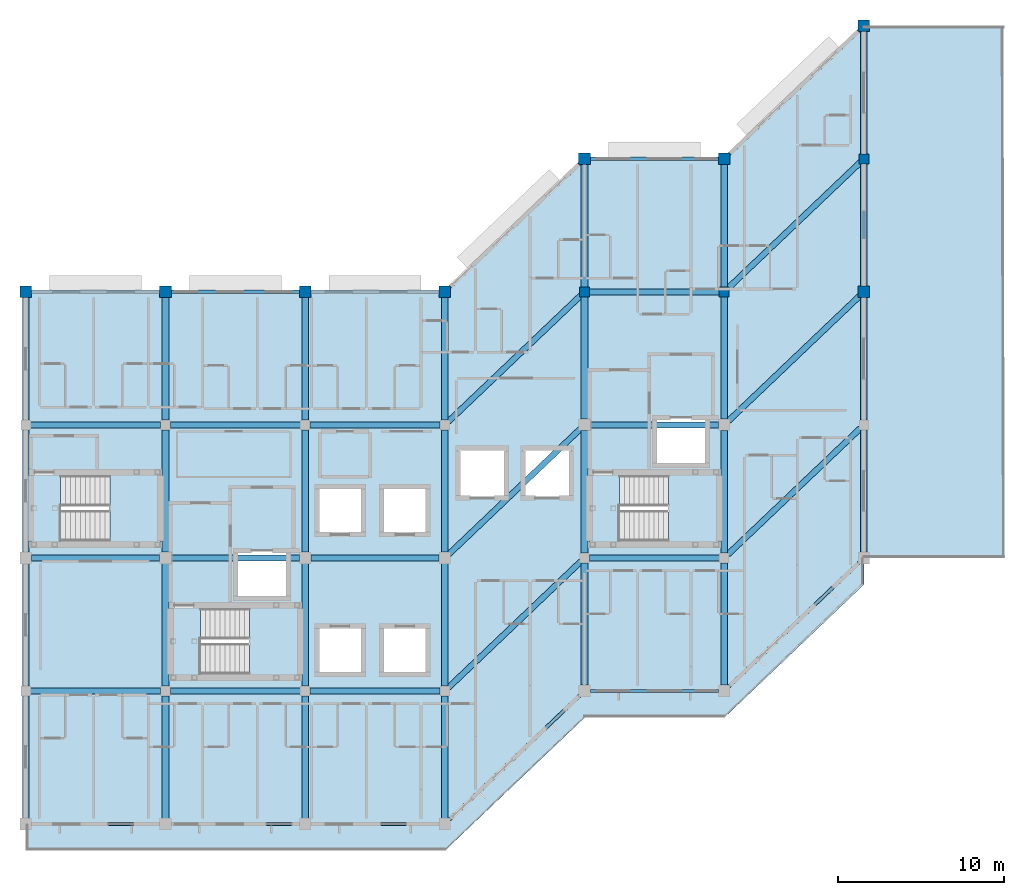
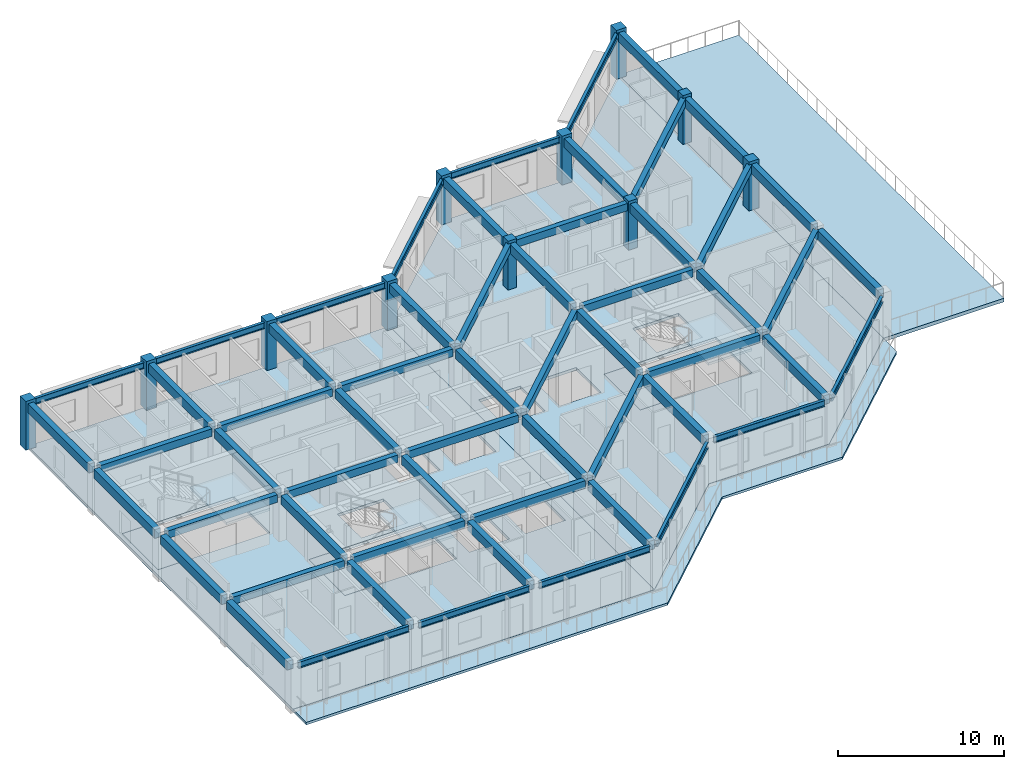
# One storey, part 3 of 15: 58 beams, 11 columns, 10 slabs, 3 elements without a shape of their own.
"""IFC4 building model written with IfcOpenShell, lengths in metres."""

from ifc_helpers import new_model, si_unit, direction, frame, origin, origin_2d, place, context, subcontext, project, spatial, polyline, rectangle, i_section, outline, extrude, material, layer, layer_set, material_profile, profile_set, type_object, element, aggregate, save


model = new_model("IFC4")

# Units and contexts
model_context = context("Model", 3, precision=1e-05, world=origin(), true_north=direction((0.0, 1.0)))
body_context = subcontext(model_context, "Body", "Model", "MODEL_VIEW")
ifc_project = project(units=[si_unit("LENGTHUNIT", "METRE"), si_unit("AREAUNIT", "SQUARE_METRE"), si_unit("VOLUMEUNIT", "CUBIC_METRE"), si_unit("PLANEANGLEUNIT", "RADIAN"), si_unit("MASSUNIT", "GRAM", prefix="KILO")], contexts=[model_context])

# Site, building, storey
site_placement = place(None, origin())
site = spatial("IfcSite", under=ifc_project, at=site_placement, CompositionType="ELEMENT")
building_placement = place(site_placement, origin())
building = spatial("IfcBuilding", under=site, at=building_placement, Name="Naruveol Harbour Congress Hotel", CompositionType="ELEMENT")
storey_placement = place(building_placement, frame((0.0, 0.0, 36.0)))
storey = spatial("IfcBuildingStorey", under=building, at=storey_placement, Name="L08", CompositionType="ELEMENT", Elevation=36.0)

# Columns
ifc_material_1 = material(Name="Concrete C40/50", Category="concrete")
ifc_material_profile_1 = material_profile(ifc_material_1, rectangle(XDim=0.699951171875, YDim=0.699951171875, at=origin_2d()), Name="RC-700x700")
ifc_profile_set_1 = profile_set([ifc_material_profile_1], Name="Concrete C40/50")
column_type_1 = type_object("IfcColumnType", Name="RC HOTEL COLUMN 700X700", PredefinedType="COLUMN", material=ifc_profile_set_1)
for number, where, z_axis, x_axis, name in (
    (1, (117.60009765625, 32.0, 0.0), (0.0, 0.0, 1.0), (1.0, 0.0, 0.0), "Column C-700 L08 (117.6,32.0)"),
    (2, (126.0, 32.0, 0.0), (0.0, 0.0, 1.0), (1.0, 0.0, 0.0), "Column C-700 L08 (126.0,32.0)"),
    (3, (134.39990234375, 32.0, 0.0), (0.0, 0.0, 1.0), (1.0, 0.0, 0.0), "Column C-700 L08 (134.4,32.0)"),
    (4, (142.800048828125, 32.0, 0.0), (0.0, 0.0, 1.0), (1.0, 0.0, 0.0), "Column C-700 L08 (142.8,32.0)"),
    (5, (151.199951171875, 40.0, 0.0), (0.0, 0.0, 1.0), (1.0, 0.0, 0.0), "Column C-700 L08 (151.2,40.0)"),
    (6, (159.60009765625, 40.0, 0.0), (0.0, 0.0, 1.0), (1.0, 0.0, 0.0), "Column C-700 L08 (159.6,40.0)"),
    (7, (168.0, 32.0, 0.0), (0.0, 0.0, 1.0), (1.0, 0.0, 0.0), "Column C-700 L08 (168.0,32.0)"),
    (8, (168.0, 48.0, 0.0), (0.0, 0.0, 1.0), (1.0, 0.0, 0.0), "Column C-700 L08 (168.0,48.0)"),
):
    element("IfcColumn", number, at=place(storey_placement, frame(where, z_axis=z_axis, x_axis=x_axis)), inside=storey, type_object=column_type_1, Name=name, PredefinedType="COLUMN", context=body_context, shape_type="SweptSolid", body=[
        extrude(rectangle(XDim=0.699951171875, YDim=0.699951171875, at=origin_2d()), origin(), (0.0, 0.0, 1.0), 3.60009765625),
    ])
ifc_material_2 = material(Name="Concrete C40/50", Category="concrete")
ifc_material_profile_2 = material_profile(ifc_material_2, rectangle(XDim=0.60009765625, YDim=0.60009765625, at=origin_2d()), Name="RC-600x600")
ifc_profile_set_2 = profile_set([ifc_material_profile_2], Name="Concrete C40/50")
column_type_2 = type_object("IfcColumnType", Name="RC UPPER COLUMN 600X600", PredefinedType="COLUMN", material=ifc_profile_set_2)
for number, where, z_axis, x_axis, name in (
    (9, (151.199951171875, 32.0, 0.0), (0.0, 0.0, 1.0), (1.0, 0.0, 0.0), "Planted hotel column C-600 L08 S4/J3"),
    (10, (159.60009765625, 32.0, 0.0), (0.0, 0.0, 1.0), (1.0, 0.0, 0.0), "Planted hotel column C-600 L08 S5/J3"),
    (11, (168.0, 40.0, 0.0), (0.0, 0.0, 1.0), (1.0, 0.0, 0.0), "Planted hotel column C-600 L08 S6/J3"),
):
    element("IfcColumn", number, at=place(storey_placement, frame(where, z_axis=z_axis, x_axis=x_axis)), inside=storey, type_object=column_type_2, Name=name, PredefinedType="COLUMN", context=body_context, shape_type="SweptSolid", body=[
        extrude(rectangle(XDim=0.60009765625, YDim=0.60009765625, at=origin_2d()), origin(), (0.0, 0.0, 1.0), 3.60009765625),
    ])

# Beams
ifc_material_3 = material(Name="Concrete C40/50", Category="concrete")
ifc_material_profile_3 = material_profile(ifc_material_3, rectangle(XDim=0.39990234375, YDim=0.64990234375, at=origin_2d()), Name="RCB-400x650")
ifc_profile_set_3 = profile_set([ifc_material_profile_3], Name="Concrete C40/50")
beam_type_1 = type_object("IfcBeamType", Name="RC HOTEL BEAM 400X650", PredefinedType="BEAM", material=ifc_profile_set_3)
for number, where, z_axis, x_axis, name in (
    (12, (117.60009765625, 0.345947265625, 3.06494140625), (0.0, 1.0, 0.0), (-1.0, 0.0, 0.0), "Hotel transverse beam L09 CB4"),
    (13, (117.60009765625, 8.2958984375, 3.06494140625), (0.0, 1.0, 0.0), (-1.0, 0.0, 0.0), "Hotel transverse beam L09 CB4"),
    (14, (117.60009765625, 16.345947265625, 3.06494140625), (0.0, 1.0, 0.0), (-1.0, 0.0, 0.0), "Hotel transverse beam L09 CB4"),
    (15, (117.60009765625, 24.2958984375, 3.06494140625), (0.0, 1.0, 0.0), (-1.0, 0.0, 0.0), "Hotel transverse beam L09 CB4"),
    (16, (126.0, 0.345947265625, 3.06494140625), (0.0, 1.0, 0.0), (-1.0, 0.0, 0.0), "Hotel transverse beam L09 CB4"),
    (17, (126.0, 8.2958984375, 3.06494140625), (0.0, 1.0, 0.0), (-1.0, 0.0, 0.0), "Hotel transverse beam L09 CB4"),
    (18, (126.0, 16.345947265625, 3.06494140625), (0.0, 1.0, 0.0), (-1.0, 0.0, 0.0), "Hotel transverse beam L09 CB4"),
    (19, (126.0, 24.2958984375, 3.06494140625), (0.0, 1.0, 0.0), (-1.0, 0.0, 0.0), "Hotel transverse beam L09 CB4"),
    (20, (134.39990234375, 0.345947265625, 3.06494140625), (0.0, 1.0, 0.0), (-1.0, 0.0, 0.0), "Hotel transverse beam L09 CB4"),
    (21, (134.39990234375, 8.2958984375, 3.06494140625), (0.0, 1.0, 0.0), (-1.0, 0.0, 0.0), "Hotel transverse beam L09 CB4"),
    (22, (134.39990234375, 16.345947265625, 3.06494140625), (0.0, 1.0, 0.0), (-1.0, 0.0, 0.0), "Hotel transverse beam L09 CB4"),
    (23, (134.39990234375, 24.2958984375, 3.06494140625), (0.0, 1.0, 0.0), (-1.0, 0.0, 0.0), "Hotel transverse beam L09 CB4"),
    (24, (142.800048828125, 0.345947265625, 3.06494140625), (0.0, 1.0, 0.0), (-1.0, 0.0, 0.0), "Hotel transverse beam L09 CB4"),
    (25, (142.800048828125, 8.2958984375, 3.06494140625), (0.0, 1.0, 0.0), (-1.0, 0.0, 0.0), "Hotel transverse beam L09 CB4"),
    (26, (142.800048828125, 16.345947265625, 3.06494140625), (0.0, 1.0, 0.0), (-1.0, 0.0, 0.0), "Hotel transverse beam L09 CB4"),
    (27, (142.800048828125, 24.2958984375, 3.06494140625), (0.0, 1.0, 0.0), (-1.0, 0.0, 0.0), "Hotel transverse beam L09 CB4"),
    (28, (151.199951171875, 8.345947265625, 3.06494140625), (0.0, 1.0, 0.0), (-1.0, 0.0, 0.0), "Hotel transverse beam L09 CB4"),
    (29, (151.199951171875, 16.2958984375, 3.06494140625), (0.0, 1.0, 0.0), (-1.0, 0.0, 0.0), "Hotel transverse beam L09 CB4"),
    (30, (151.199951171875, 24.345947265625, 3.06494140625), (0.0, 1.0, 0.0), (-1.0, 0.0, 0.0), "Hotel transverse beam L09 CB4"),
    (31, (151.199951171875, 32.2958984375, 3.06494140625), (0.0, 1.0, 0.0), (-1.0, 0.0, 0.0), "Hotel transverse beam L09 CB4"),
    (32, (159.60009765625, 8.345947265625, 3.06494140625), (0.0, 1.0, 0.0), (-1.0, 0.0, 0.0), "Hotel transverse beam L09 CB4"),
    (33, (159.60009765625, 16.2958984375, 3.06494140625), (0.0, 1.0, 0.0), (-1.0, 0.0, 0.0), "Hotel transverse beam L09 CB4"),
    (34, (159.60009765625, 24.345947265625, 3.06494140625), (0.0, 1.0, 0.0), (-1.0, 0.0, 0.0), "Hotel transverse beam L09 CB4"),
    (35, (159.60009765625, 32.2958984375, 3.06494140625), (0.0, 1.0, 0.0), (-1.0, 0.0, 0.0), "Hotel transverse beam L09 CB4"),
    (36, (168.0, 16.345947265625, 3.06494140625), (0.0, 1.0, 0.0), (-1.0, 0.0, 0.0), "Hotel transverse beam L09 CB4"),
    (37, (168.0, 24.2958984375, 3.06494140625), (0.0, 1.0, 0.0), (-1.0, 0.0, 0.0), "Hotel transverse beam L09 CB4"),
    (38, (168.0, 32.345947265625, 3.06494140625), (0.0, 1.0, 0.0), (-1.0, 0.0, 0.0), "Hotel transverse beam L09 CB4"),
    (39, (168.0, 40.2958984375, 3.06494140625), (0.0, 1.0, 0.0), (-1.0, 0.0, 0.0), "Hotel transverse beam L09 CB4"),
):
    element("IfcBeam", number, at=place(storey_placement, frame(where, z_axis=z_axis, x_axis=x_axis)), inside=storey, type_object=beam_type_1, Name=name, PredefinedType="BEAM", context=body_context, shape_type="SweptSolid", body=[
        extrude(rectangle(XDim=0.39990234375, YDim=0.64990234375, at=origin_2d()), origin(), (0.0, 0.0, 1.0), 7.358154296875),
    ])
ifc_material_4 = material(Name="Concrete C40/50", Category="concrete")
ifc_material_profile_4 = material_profile(ifc_material_4, rectangle(XDim=0.35009765625, YDim=0.550048828125, at=origin_2d()), Name="RCB-350x550")
ifc_profile_set_4 = profile_set([ifc_material_profile_4], Name="Concrete C40/50")
beam_type_2 = type_object("IfcBeamType", Name="RC SECONDARY BEAM 350X550", PredefinedType="JOIST", material=ifc_profile_set_4)
beam_1_placement = place(storey_placement, frame((117.89599609375, 8.0, 3.114990234375), z_axis=(1.0, 0.0, 0.0), x_axis=(0.0, 1.0, 0.0)))
element("IfcBeam", 40, at=beam_1_placement, inside=storey, type_object=beam_type_2, Name="Hotel chord beam L09 CJ1", PredefinedType="JOIST", context=body_context, shape_type="SweptSolid", body=[
    extrude(rectangle(XDim=0.35009765625, YDim=0.550048828125, at=origin_2d()), origin(), (0.0, 0.0, 1.0), 7.80810546875),
])
beam_2_placement = place(storey_placement, frame((117.946044921875, 16.0, 3.114990234375), z_axis=(1.0, 0.0, 0.0), x_axis=(0.0, 1.0, 0.0)))
element("IfcBeam", 41, at=beam_2_placement, inside=storey, type_object=beam_type_2, Name="Hotel chord beam L09 CJ1", PredefinedType="JOIST", context=body_context, shape_type="SweptSolid", body=[
    extrude(rectangle(XDim=0.35009765625, YDim=0.550048828125, at=origin_2d()), origin(), (0.0, 0.0, 1.0), 7.7080078125),
])
for number, where, z_axis, x_axis, name in (
    (42, (117.89599609375, 24.0, 3.114990234375), (1.0, 0.0, 0.0), (0.0, 1.0, 0.0), "Hotel chord beam L09 CJ1"),
    (43, (126.2958984375, 8.0, 3.114990234375), (1.0, 0.0, 0.0), (0.0, 1.0, 0.0), "Hotel chord beam L09 CJ1"),
):
    element("IfcBeam", number, at=place(storey_placement, frame(where, z_axis=z_axis, x_axis=x_axis)), inside=storey, type_object=beam_type_2, Name=name, PredefinedType="JOIST", context=body_context, shape_type="SweptSolid", body=[
        extrude(rectangle(XDim=0.35009765625, YDim=0.550048828125, at=origin_2d()), origin(), (0.0, 0.0, 1.0), 7.80810546875),
    ])
beam_3_placement = place(storey_placement, frame((126.345947265625, 16.0, 3.114990234375), z_axis=(1.0, 0.0, 0.0), x_axis=(0.0, 1.0, 0.0)))
element("IfcBeam", 44, at=beam_3_placement, inside=storey, type_object=beam_type_2, Name="Hotel chord beam L09 CJ1", PredefinedType="JOIST", context=body_context, shape_type="SweptSolid", body=[
    extrude(rectangle(XDim=0.35009765625, YDim=0.550048828125, at=origin_2d()), origin(), (0.0, 0.0, 1.0), 7.7080078125),
])
beam_4_placement = place(storey_placement, frame((126.2958984375, 24.0, 3.114990234375), z_axis=(1.0, 0.0, 0.0), x_axis=(0.0, 1.0, 0.0)))
element("IfcBeam", 45, at=beam_4_placement, inside=storey, type_object=beam_type_2, Name="Hotel chord beam L09 CJ1", PredefinedType="JOIST", context=body_context, shape_type="SweptSolid", body=[
    extrude(rectangle(XDim=0.35009765625, YDim=0.550048828125, at=origin_2d()), origin(), (0.0, 0.0, 1.0), 7.80810546875),
])
beam_5_placement = place(storey_placement, frame((134.696044921875, 8.0, 3.114990234375), z_axis=(1.0, 0.0, 0.0), x_axis=(0.0, 1.0, 0.0)))
element("IfcBeam", 46, at=beam_5_placement, inside=storey, type_object=beam_type_2, Name="Hotel chord beam L09 CJ1", PredefinedType="JOIST", context=body_context, shape_type="SweptSolid", body=[
    extrude(rectangle(XDim=0.35009765625, YDim=0.550048828125, at=origin_2d()), origin(), (0.0, 0.0, 1.0), 7.807861328125),
])
beam_6_placement = place(storey_placement, frame((134.74609375, 16.0, 3.114990234375), z_axis=(1.0, 0.0, 0.0), x_axis=(0.0, 1.0, 0.0)))
element("IfcBeam", 47, at=beam_6_placement, inside=storey, type_object=beam_type_2, Name="Hotel chord beam L09 CJ1", PredefinedType="JOIST", context=body_context, shape_type="SweptSolid", body=[
    extrude(rectangle(XDim=0.35009765625, YDim=0.550048828125, at=origin_2d()), origin(), (0.0, 0.0, 1.0), 7.7080078125),
])
beam_7_placement = place(storey_placement, frame((134.696044921875, 24.0, 3.114990234375), z_axis=(1.0, 0.0, 0.0), x_axis=(0.0, 1.0, 0.0)))
element("IfcBeam", 48, at=beam_7_placement, inside=storey, type_object=beam_type_2, Name="Hotel chord beam L09 CJ1", PredefinedType="JOIST", context=body_context, shape_type="SweptSolid", body=[
    extrude(rectangle(XDim=0.35009765625, YDim=0.550048828125, at=origin_2d()), origin(), (0.0, 0.0, 1.0), 7.807861328125),
])
beam_8_placement = place(storey_placement, frame((143.014404296875, 8.2041015625, 3.114990234375), z_axis=(0.724129492057, 0.689664033231, 0.0), x_axis=(-0.689664033231, 0.724129492057, 0.0)))
element("IfcBeam", 49, at=beam_8_placement, inside=storey, type_object=beam_type_2, Name="Hotel chord beam L09 CJ1", PredefinedType="JOIST", context=body_context, shape_type="SweptSolid", body=[
    extrude(rectangle(XDim=0.35009765625, YDim=0.550048828125, at=origin_2d()), origin(), (0.0, 0.0, 1.0), 11.008056640625),
])
beam_9_placement = place(storey_placement, frame((143.050537109375, 16.238525390625, 3.114990234375), z_axis=(0.724130479369, 0.689662996578, 0.0), x_axis=(-0.689662996578, 0.724130479369, 0.0)))
element("IfcBeam", 50, at=beam_9_placement, inside=storey, type_object=beam_type_2, Name="Hotel chord beam L09 CJ1", PredefinedType="JOIST", context=body_context, shape_type="SweptSolid", body=[
    extrude(rectangle(XDim=0.35009765625, YDim=0.550048828125, at=origin_2d()), origin(), (0.0, 0.0, 1.0), 10.908203125),
])
beam_10_placement = place(storey_placement, frame((143.014404296875, 24.2041015625, 3.114990234375), z_axis=(0.724129492057, 0.689664033231, 0.0), x_axis=(-0.689664033231, 0.724129492057, 0.0)))
element("IfcBeam", 51, at=beam_10_placement, inside=storey, type_object=beam_type_2, Name="Hotel chord beam L09 CJ1", PredefinedType="JOIST", context=body_context, shape_type="SweptSolid", body=[
    extrude(rectangle(XDim=0.35009765625, YDim=0.550048828125, at=origin_2d()), origin(), (0.0, 0.0, 1.0), 11.008056640625),
])
beam_11_placement = place(storey_placement, frame((151.49609375, 16.0, 3.114990234375), z_axis=(1.0, 0.0, 0.0), x_axis=(0.0, 1.0, 0.0)))
element("IfcBeam", 52, at=beam_11_placement, inside=storey, type_object=beam_type_2, Name="Hotel chord beam L09 CJ1", PredefinedType="JOIST", context=body_context, shape_type="SweptSolid", body=[
    extrude(rectangle(XDim=0.35009765625, YDim=0.550048828125, at=origin_2d()), origin(), (0.0, 0.0, 1.0), 7.807861328125),
])
beam_12_placement = place(storey_placement, frame((151.5458984375, 24.0, 3.114990234375), z_axis=(1.0, 0.0, 0.0), x_axis=(0.0, 1.0, 0.0)))
element("IfcBeam", 53, at=beam_12_placement, inside=storey, type_object=beam_type_2, Name="Hotel chord beam L09 CJ1", PredefinedType="JOIST", context=body_context, shape_type="SweptSolid", body=[
    extrude(rectangle(XDim=0.35009765625, YDim=0.550048828125, at=origin_2d()), origin(), (0.0, 0.0, 1.0), 7.7080078125),
])
beam_13_placement = place(storey_placement, frame((151.49609375, 32.0, 3.114990234375), z_axis=(1.0, 0.0, 0.0), x_axis=(0.0, 1.0, 0.0)))
element("IfcBeam", 54, at=beam_13_placement, inside=storey, type_object=beam_type_2, Name="Hotel chord beam L09 CJ1", PredefinedType="JOIST", context=body_context, shape_type="SweptSolid", body=[
    extrude(rectangle(XDim=0.35009765625, YDim=0.550048828125, at=origin_2d()), origin(), (0.0, 0.0, 1.0), 7.807861328125),
])
beam_14_placement = place(storey_placement, frame((159.814208984375, 16.2041015625, 3.114990234375), z_axis=(0.724140040728, 0.689652957229, 0.0), x_axis=(-0.689652957229, 0.724140040728, 0.0)))
element("IfcBeam", 55, at=beam_14_placement, inside=storey, type_object=beam_type_2, Name="Hotel chord beam L09 CJ1", PredefinedType="JOIST", context=body_context, shape_type="SweptSolid", body=[
    extrude(rectangle(XDim=0.35009765625, YDim=0.550048828125, at=origin_2d()), origin(), (0.0, 0.0, 1.0), 11.008056640625),
])
beam_15_placement = place(storey_placement, frame((159.8505859375, 24.238525390625, 3.114990234375), z_axis=(0.724130479369, 0.689662996578, 0.0), x_axis=(-0.689662996578, 0.724130479369, 0.0)))
element("IfcBeam", 56, at=beam_15_placement, inside=storey, type_object=beam_type_2, Name="Hotel chord beam L09 CJ1", PredefinedType="JOIST", context=body_context, shape_type="SweptSolid", body=[
    extrude(rectangle(XDim=0.35009765625, YDim=0.550048828125, at=origin_2d()), origin(), (0.0, 0.0, 1.0), 10.908203125),
])
beam_16_placement = place(storey_placement, frame((159.814208984375, 32.2041015625, 3.114990234375), z_axis=(0.724140040728, 0.689652957229, 0.0), x_axis=(-0.689652957229, 0.724140040728, 0.0)))
element("IfcBeam", 57, at=beam_16_placement, inside=storey, type_object=beam_type_2, Name="Hotel chord beam L09 CJ1", PredefinedType="JOIST", context=body_context, shape_type="SweptSolid", body=[
    extrude(rectangle(XDim=0.35009765625, YDim=0.550048828125, at=origin_2d()), origin(), (0.0, 0.0, 1.0), 11.008056640625),
])
ifc_material_5 = material(Name="Steel SN490", Category="steel")
ifc_material_profile_5 = material_profile(ifc_material_5, i_section(OverallWidth=0.199951171875, OverallDepth=0.449951171875, WebThickness=0.009033203125, FlangeThickness=0.013916015625, at=origin_2d()), Name="H-450x200x9x14")
ifc_profile_set_5 = profile_set([ifc_material_profile_5], Name="Steel SN490")
beam_type_3 = type_object("IfcBeamType", Name="STEEL SPANDREL EDGE BEAM H450", PredefinedType="SPANDREL", material=ifc_profile_set_5)
for number, where, z_axis, x_axis, name in (
    (58, (117.946044921875, 0.0, 3.1650390625), (1.0, 0.0, 0.0), (0.0, 1.0, 0.0), "Hotel chord beam L09 SPB2"),
    (59, (117.946044921875, 32.0, 3.1650390625), (1.0, 0.0, 0.0), (0.0, 1.0, 0.0), "Hotel chord beam L09 SPB2"),
    (60, (126.345947265625, 0.0, 3.1650390625), (1.0, 0.0, 0.0), (0.0, 1.0, 0.0), "Hotel chord beam L09 SPB2"),
    (61, (126.345947265625, 32.0, 3.1650390625), (1.0, 0.0, 0.0), (0.0, 1.0, 0.0), "Hotel chord beam L09 SPB2"),
    (62, (134.74609375, 0.0, 3.1650390625), (1.0, 0.0, 0.0), (0.0, 1.0, 0.0), "Hotel chord beam L09 SPB2"),
    (63, (134.74609375, 32.0, 3.1650390625), (1.0, 0.0, 0.0), (0.0, 1.0, 0.0), "Hotel chord beam L09 SPB2"),
):
    element("IfcBeam", number, at=place(storey_placement, frame(where, z_axis=z_axis, x_axis=x_axis)), inside=storey, type_object=beam_type_3, Name=name, PredefinedType="SPANDREL", context=body_context, shape_type="SweptSolid", body=[
        extrude(i_section(OverallWidth=0.199951171875, OverallDepth=0.449951171875, WebThickness=0.009033203125, FlangeThickness=0.013916015625, at=origin_2d()), origin(), (0.0, 0.0, 1.0), 7.7080078125),
    ])
for number, where, z_axis, x_axis, name in (
    (64, (143.050537109375, 0.238525390625, 3.1650390625), (0.724130479369, 0.689662996578, 0.0), (-0.689662996578, 0.724130479369, 0.0), "Hotel chord beam L09 SPB2"),
    (65, (143.050537109375, 32.238525390625, 3.1650390625), (0.724130479369, 0.689662996578, 0.0), (-0.689662996578, 0.724130479369, 0.0), "Hotel chord beam L09 SPB2"),
):
    element("IfcBeam", number, at=place(storey_placement, frame(where, z_axis=z_axis, x_axis=x_axis)), inside=storey, type_object=beam_type_3, Name=name, PredefinedType="SPANDREL", context=body_context, shape_type="SweptSolid", body=[
        extrude(i_section(OverallWidth=0.199951171875, OverallDepth=0.449951171875, WebThickness=0.009033203125, FlangeThickness=0.013916015625, at=origin_2d()), origin(), (0.0, 0.0, 1.0), 10.908203125),
    ])
for number, where, z_axis, x_axis, name in (
    (66, (151.5458984375, 8.0, 3.1650390625), (1.0, 0.0, 0.0), (0.0, 1.0, 0.0), "Hotel chord beam L09 SPB2"),
    (67, (151.5458984375, 40.0, 3.1650390625), (1.0, 0.0, 0.0), (0.0, 1.0, 0.0), "Hotel chord beam L09 SPB2"),
):
    element("IfcBeam", number, at=place(storey_placement, frame(where, z_axis=z_axis, x_axis=x_axis)), inside=storey, type_object=beam_type_3, Name=name, PredefinedType="SPANDREL", context=body_context, shape_type="SweptSolid", body=[
        extrude(i_section(OverallWidth=0.199951171875, OverallDepth=0.449951171875, WebThickness=0.009033203125, FlangeThickness=0.013916015625, at=origin_2d()), origin(), (0.0, 0.0, 1.0), 7.7080078125),
    ])
for number, where, z_axis, x_axis, name in (
    (68, (159.8505859375, 8.238525390625, 3.1650390625), (0.724130479369, 0.689662996578, 0.0), (-0.689662996578, 0.724130479369, 0.0), "Hotel chord beam L09 SPB2"),
    (69, (159.8505859375, 40.238525390625, 3.1650390625), (0.724130479369, 0.689662996578, 0.0), (-0.689662996578, 0.724130479369, 0.0), "Hotel chord beam L09 SPB2"),
):
    element("IfcBeam", number, at=place(storey_placement, frame(where, z_axis=z_axis, x_axis=x_axis)), inside=storey, type_object=beam_type_3, Name=name, PredefinedType="SPANDREL", context=body_context, shape_type="SweptSolid", body=[
        extrude(i_section(OverallWidth=0.199951171875, OverallDepth=0.449951171875, WebThickness=0.009033203125, FlangeThickness=0.013916015625, at=origin_2d()), origin(), (0.0, 0.0, 1.0), 10.908203125),
    ])

# Slabs
ifc_material_6 = material(Name="Concrete C40/50", Category="concrete")
ifc_layer_1 = layer(ifc_material_6, 0.2099609375)
ifc_layer_set_1 = layer_set([ifc_layer_1], Name="Concrete C40/50")
slab_type_1 = type_object("IfcSlabType", Name="RC HOTEL UPPER FLOOR SLAB 210", PredefinedType="FLOOR", material=ifc_layer_set_1)
slab_1_placement = place(storey_placement, frame((0.0, 0.0, -0.2099609375)))
element("IfcSlab", 70, at=slab_1_placement, inside=storey, type_object=slab_type_1, Name="Level L08 Hotel W S-curve floor slab", PredefinedType="FLOOR", context=body_context, shape_type="SweptSolid", body=[
    extrude(outline(polyline([(117.60009765625, 0.0), (126.0, 0.0), (134.39990234375, 0.0), (142.800048828125, 0.0), (142.800048828125, 32.0), (134.39990234375, 32.0), (126.0, 32.0), (117.60009765625, 32.0), (117.60009765625, 0.0)]), holes=[polyline([(126.300048828125, 8.800048828125), (134.10009765625, 8.800048828125), (134.10009765625, 13.159912109375), (126.300048828125, 13.159912109375), (126.300048828125, 8.800048828125)]), polyline([(117.89990234375, 16.800048828125), (125.699951171875, 16.800048828125), (125.699951171875, 21.159912109375), (117.89990234375, 21.159912109375), (117.89990234375, 16.800048828125)]), polyline([(135.10009765625, 17.39990234375), (137.89990234375, 17.39990234375), (137.89990234375, 20.300048828125), (135.10009765625, 20.300048828125), (135.10009765625, 17.39990234375)]), polyline([(139.0, 17.39990234375), (141.800048828125, 17.39990234375), (141.800048828125, 20.300048828125), (139.0, 20.300048828125), (139.0, 17.39990234375)]), polyline([(135.10009765625, 9.0), (137.89990234375, 9.0), (137.89990234375, 11.89990234375), (135.10009765625, 11.89990234375), (135.10009765625, 9.0)]), polyline([(139.0, 9.0), (141.800048828125, 9.0), (141.800048828125, 11.89990234375), (139.0, 11.89990234375), (139.0, 9.0)]), polyline([(130.199951171875, 13.550048828125), (133.39990234375, 13.550048828125), (133.39990234375, 16.449951171875), (130.199951171875, 16.449951171875), (130.199951171875, 13.550048828125)])]), origin(), (0.0, 0.0, 1.0), 0.2099609375),
])
slab_2_placement = place(storey_placement, frame((0.0, 0.0, -0.2099609375)))
element("IfcSlab", 71, at=slab_2_placement, inside=storey, type_object=slab_type_1, Name="Level L08 Hotel E S-curve floor slab", PredefinedType="FLOOR", context=body_context, shape_type="SweptSolid", body=[
    extrude(outline(polyline([(142.800048828125, 0.0), (151.199951171875, 8.0), (159.60009765625, 8.0), (168.0, 16.0), (168.0, 48.0), (159.60009765625, 40.0), (151.199951171875, 40.0), (142.800048828125, 32.0), (142.800048828125, 0.0)]), holes=[polyline([(151.5, 16.800048828125), (159.300048828125, 16.800048828125), (159.300048828125, 21.159912109375), (151.5, 21.159912109375), (151.5, 16.800048828125)]), polyline([(155.39990234375, 21.550048828125), (158.60009765625, 21.550048828125), (158.60009765625, 24.449951171875), (155.39990234375, 24.449951171875), (155.39990234375, 21.550048828125)]), polyline([(143.60009765625, 19.60009765625), (146.5, 19.60009765625), (146.5, 22.60009765625), (143.60009765625, 22.60009765625), (143.60009765625, 19.60009765625)]), polyline([(147.5, 19.60009765625), (150.39990234375, 19.60009765625), (150.39990234375, 22.60009765625), (147.5, 22.60009765625), (147.5, 19.60009765625)])]), origin(), (0.0, 0.0, 1.0), 0.2099609375),
])
ifc_material_7 = material(Name="Concrete C40/50", Category="concrete")
ifc_layer_2 = layer(ifc_material_7, 0.260009765625)
ifc_layer_set_2 = layer_set([ifc_layer_2], Name="Concrete C40/50")
slab_type_2 = type_object("IfcSlabType", Name="RC PLANTED ROOF GARDEN SLAB 260", PredefinedType="ROOF", material=ifc_layer_set_2)
slab_3_placement = place(storey_placement, frame((0.0, 0.0, -0.260009765625)))
element("IfcSlab", 72, at=slab_3_placement, inside=storey, type_object=slab_type_2, Name="Level L08 East Harbour Garden Terrace", PredefinedType="ROOF", context=body_context, shape_type="SweptSolid", body=[
    extrude(outline(polyline([(168.0, 16.0), (176.39990234375, 16.0), (176.39990234375, 48.0), (168.0, 48.0), (168.0, 16.0)])), origin(), (0.0, 0.0, 1.0), 0.260009765625),
])
ifc_material_8 = material(Name="Concrete C40/50", Category="concrete")
ifc_layer_3 = layer(ifc_material_8, 0.179931640625)
ifc_layer_set_3 = layer_set([ifc_layer_3], Name="Concrete C40/50")
slab_type_3 = type_object("IfcSlabType", Name="RC STAIR HALF LANDING SLAB 180", PredefinedType="LANDING", material=ifc_layer_set_3)
slab_4_placement = place(storey_placement, frame((0.0, 0.0, -0.179931640625)))
element("IfcSlab", 73, at=slab_4_placement, inside=storey, type_object=slab_type_3, Name="Stair ST1 L08 floor landing", PredefinedType="LANDING", context=body_context, shape_type="SweptSolid", body=[
    extrude(outline(polyline([(126.300048828125, 8.800048828125), (128.10009765625, 8.800048828125), (128.10009765625, 13.159912109375), (126.300048828125, 13.159912109375), (126.300048828125, 8.800048828125)])), origin(), (0.0, 0.0, 1.0), 0.179931640625),
])

# Stair, slab
ifc_material_9 = material(Name="Concrete C40/50", Category="concrete")
stair_type = type_object("IfcStairType", Name="RC DOG LEG ESCAPE STAIR 1800W H3600", PredefinedType="HALF_TURN_STAIR", material=ifc_material_9)
stair_1_placement = place(storey_placement, origin())
stair_1 = element("IfcStair", 74, at=stair_1_placement, inside=storey, type_object=stair_type, Name="Special Escape Stair ST1 L08 to L09", PredefinedType="HALF_TURN_STAIR")
slab_5_placement = place(storey_placement, frame((0.0, 0.0, 1.6201171875)))
slab_5 = element("IfcSlab", 75, at=slab_5_placement, type_object=slab_type_3, Name="ST1 L08 half landing", PredefinedType="LANDING", context=body_context, shape_type="SweptSolid", body=[
    extrude(outline(polyline([(131.050048828125, 8.800048828125), (134.10009765625, 8.800048828125), (134.10009765625, 13.159912109375), (131.050048828125, 13.159912109375), (131.050048828125, 8.800048828125)])), origin(), (0.0, 0.0, 1.0), 0.179931640625),
])
aggregate(stair_1, [slab_5])

# Slab
slab_6_placement = place(storey_placement, frame((0.0, 0.0, -0.179931640625)))
element("IfcSlab", 76, at=slab_6_placement, inside=storey, type_object=slab_type_3, Name="Stair ST2 L08 floor landing", PredefinedType="LANDING", context=body_context, shape_type="SweptSolid", body=[
    extrude(outline(polyline([(151.5, 16.800048828125), (153.300048828125, 16.800048828125), (153.300048828125, 21.159912109375), (151.5, 21.159912109375), (151.5, 16.800048828125)])), origin(), (0.0, 0.0, 1.0), 0.179931640625),
])

# Stair, slab
stair_2_placement = place(storey_placement, origin())
stair_2 = element("IfcStair", 77, at=stair_2_placement, inside=storey, type_object=stair_type, Name="Special Escape Stair ST2 L08 to L09", PredefinedType="HALF_TURN_STAIR")
slab_7_placement = place(storey_placement, frame((0.0, 0.0, 1.6201171875)))
slab_7 = element("IfcSlab", 78, at=slab_7_placement, type_object=slab_type_3, Name="ST2 L08 half landing", PredefinedType="LANDING", context=body_context, shape_type="SweptSolid", body=[
    extrude(outline(polyline([(156.25, 16.800048828125), (159.300048828125, 16.800048828125), (159.300048828125, 21.159912109375), (156.25, 21.159912109375), (156.25, 16.800048828125)])), origin(), (0.0, 0.0, 1.0), 0.179931640625),
])
aggregate(stair_2, [slab_7])

# Slab
slab_8_placement = place(storey_placement, frame((0.0, 0.0, -0.179931640625)))
element("IfcSlab", 79, at=slab_8_placement, inside=storey, type_object=slab_type_3, Name="Stair ST3 L08 floor landing", PredefinedType="LANDING", context=body_context, shape_type="SweptSolid", body=[
    extrude(outline(polyline([(117.89990234375, 16.800048828125), (119.699951171875, 16.800048828125), (119.699951171875, 21.159912109375), (117.89990234375, 21.159912109375), (117.89990234375, 16.800048828125)])), origin(), (0.0, 0.0, 1.0), 0.179931640625),
])

# Stair, slab
stair_3_placement = place(storey_placement, origin())
stair_3 = element("IfcStair", 80, at=stair_3_placement, inside=storey, type_object=stair_type, Name="Special Escape Stair ST3 L08 to L09", PredefinedType="HALF_TURN_STAIR")
slab_9_placement = place(storey_placement, frame((0.0, 0.0, 1.6201171875)))
slab_9 = element("IfcSlab", 81, at=slab_9_placement, type_object=slab_type_3, Name="ST3 L08 half landing", PredefinedType="LANDING", context=body_context, shape_type="SweptSolid", body=[
    extrude(outline(polyline([(122.64990234375, 16.800048828125), (125.699951171875, 16.800048828125), (125.699951171875, 21.159912109375), (122.64990234375, 21.159912109375), (122.64990234375, 16.800048828125)])), origin(), (0.0, 0.0, 1.0), 0.179931640625),
])
aggregate(stair_3, [slab_9])

# Slab
ifc_material_10 = material(Name="Concrete C40/50", Category="concrete")
ifc_layer_4 = layer(ifc_material_10, 0.179931640625)
ifc_layer_set_4 = layer_set([ifc_layer_4], Name="Concrete C40/50")
slab_type_4 = type_object("IfcSlabType", Name="RC TERRACE AND LANDING SLAB 180", PredefinedType="FLOOR", material=ifc_layer_set_4)
slab_10_placement = place(storey_placement, frame((0.0, 0.0, -0.179931640625)))
element("IfcSlab", 82, at=slab_10_placement, inside=storey, type_object=slab_type_4, Name="Level L08 Harbourfront brise-soleil balcony", PredefinedType="FLOOR", context=body_context, shape_type="SweptSolid", body=[
    extrude(outline(polyline([(117.60009765625, -1.60009765625), (126.0, -1.60009765625), (134.39990234375, -1.60009765625), (142.800048828125, -1.60009765625), (151.199951171875, 6.39990234375), (159.60009765625, 6.39990234375), (168.0, 14.39990234375), (168.0, 15.9951171875), (159.60009765625, 7.9951171875), (151.199951171875, 7.9951171875), (142.800048828125, -0.0048828125), (134.39990234375, -0.0048828125), (126.0, -0.0048828125), (117.60009765625, -0.0048828125), (117.60009765625, -1.60009765625)])), origin(), (0.0, 0.0, 1.0), 0.179931640625),
])

save(model, "model.ifc")
